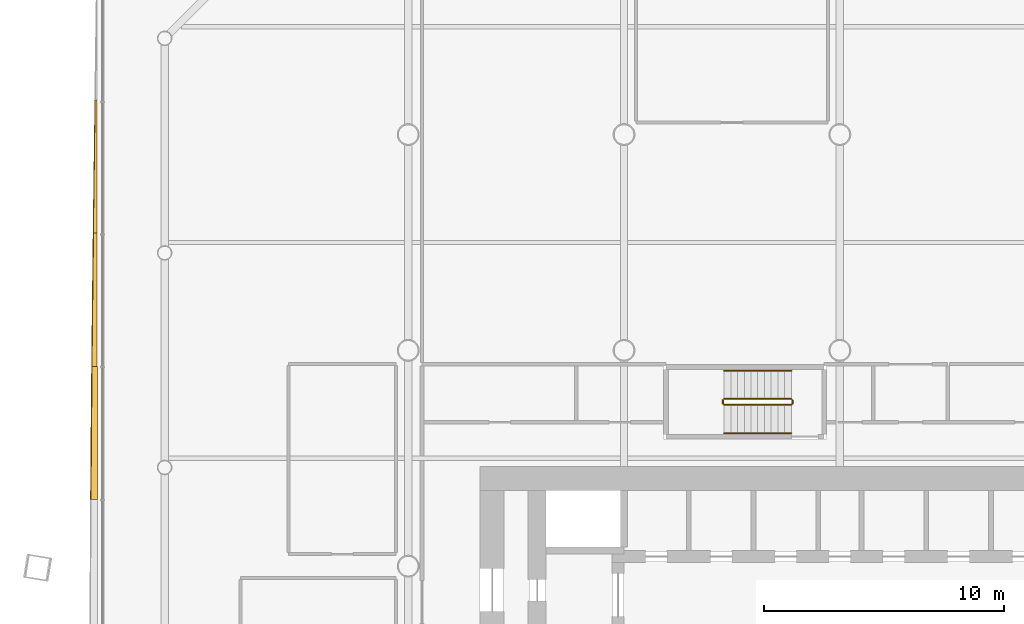
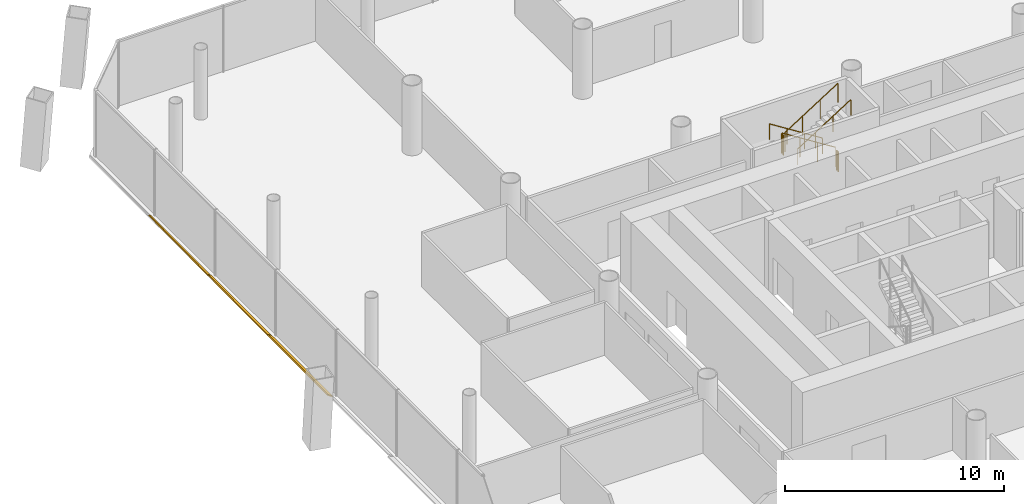
# One storey, part 21 of 22: 6 railings, 3 shading devices.
"""IFC4 building model written with IfcOpenShell, lengths in metres."""

from ifc_helpers import new_model, si_unit, direction, frame, origin, origin_2d, place, context, subcontext, project, spatial, polyline, circle, outline, extrude, material, layer, layer_set, type_object, element, save


model = new_model("IFC4")

# Units and contexts
model_context = context("Model", 3, precision=1e-05, world=origin(), true_north=direction((0.0, 1.0)))
body_context = subcontext(model_context, "Body", "Model", "MODEL_VIEW")
ifc_project = project(units=[si_unit("LENGTHUNIT", "METRE"), si_unit("AREAUNIT", "SQUARE_METRE"), si_unit("VOLUMEUNIT", "CUBIC_METRE"), si_unit("PLANEANGLEUNIT", "RADIAN"), si_unit("MASSUNIT", "GRAM", prefix="KILO")], contexts=[model_context])

# Site, building, storey
site_placement = place(None, origin())
site = spatial("IfcSite", under=ifc_project, at=site_placement, CompositionType="ELEMENT")
building_placement = place(site_placement, origin())
building = spatial("IfcBuilding", under=site, at=building_placement, Name="Tskaro Facet Tower", CompositionType="ELEMENT")
storey_placement = place(building_placement, frame((0.0, 0.0, 18.60009765625)))
storey = spatial("IfcBuildingStorey", under=building, at=storey_placement, Name="L03", CompositionType="ELEMENT", Elevation=18.60009765625)

# Shading devices
ifc_material_1 = material(Name="Bronze anodised aluminium 6063-T6", Category="aluminium")
ifc_layer = layer(ifc_material_1, 0.06005859375, Name="Bronze anodised aluminium 6063-T6")
ifc_layer_set = layer_set([ifc_layer], Name="Bronze anodised aluminium 6063-T6")
shading_device_type = type_object("IfcShadingDeviceType", Name="Bronze sun blade (FN1)", PredefinedType="USERDEFINED", material=ifc_layer_set)
shading_device_1_placement = place(storey_placement, frame((-30.974609375, 19.4443359375, 0.05419921875), z_axis=(0.422859654063, -1.1687585e-05, 0.906195184731), x_axis=(-4.942208e-06, -0.999999999932, -1.0591234e-05)))
element("IfcShadingDevice", 1, at=shading_device_1_placement, inside=storey, type_object=shading_device_type, Name="Fin blade west 2", ObjectType="FIN", PredefinedType="USERDEFINED", context=body_context, shape_type="SweptSolid", body=[
    extrude(outline(polyline([(0.0, 0.0), (5.555419921495566, 0.0), (5.555419922818219, -0.1694078735067057), (4.8610839833002695, -0.15979147186656814), (4.166503905743088, -0.15007183300619323), (3.4721679689834533, -0.1398064788080065), (2.777587890219678, -0.12986560088884438), (2.0832519534600427, -0.11960024669065769), (1.3886718748688298, -0.10911365343368375), (0.6943359369026008, -0.09862706017670982), (3.1552812391077836e-10, -0.08781599064071131), (0.0, 0.0)])), origin(), (0.0, 0.0, -1.0), 0.06005859375),
])
shading_device_2_placement = place(storey_placement, frame((-30.969970703125, 13.888916015625, 0.0517578125), z_axis=(0.500347410485, 7.565308e-06, 0.865824733282), x_axis=(3.785282e-06, -0.999999999971, 6.550231e-06)))
element("IfcShadingDevice", 2, at=shading_device_2_placement, inside=storey, type_object=shading_device_type, Name="Fin blade west 3", ObjectType="FIN", PredefinedType="USERDEFINED", context=body_context, shape_type="SweptSolid", body=[
    extrude(outline(polyline([(0.0, 0.0), (5.555664062341014, 0.0), (5.555664062330778, -0.24982875680808186), (4.861083983839732, -0.24162201285192958), (4.166748046897821, -0.2332038859042473), (3.47216796865588, -0.2244522208355184), (2.777832031963074, -0.21548917277525947), (2.083251953046097, -0.206403969585484), (1.388916015003218, -0.1967738452831319), (0.6945800785595164, -0.18726587611029638), (-7.833917107628724e-10, -0.17730221368689772), (0.0, 0.0)])), origin(), (0.0, 0.0, -1.0), 0.06005859375),
])
shading_device_3_placement = place(storey_placement, frame((-30.965576171875, 8.333251953125, 0.049072265625), z_axis=(0.573504039092, 2.6209e-06, 0.819202732624), x_axis=(1.503097e-06, -0.999999999997, 2.147049e-06)))
element("IfcShadingDevice", 3, at=shading_device_3_placement, inside=storey, type_object=shading_device_type, Name="Fin blade west 4", ObjectType="FIN", PredefinedType="USERDEFINED", context=body_context, shape_type="SweptSolid", body=[
    extrude(outline(polyline([(0.0, 0.0), (5.555419921855919, 0.0), (5.5554199218129865, -0.3218525402323677), (4.861083984316167, -0.31589230800584234), (4.166503906037132, -0.30959205947762747), (3.4721679685928497, -0.3027517939805778), (2.7775878908905343, -0.29571152781638294), (2.083251953131822, -0.28819122971595407), (1.3889160157400768, -0.28047093094838005), (0.6943359375661178, -0.27241061587911636), (-1.4005717663479298e-10, -0.2640102845081631), (0.0, 0.0)])), origin(), (0.0, 0.0, -1.0), 0.06005859375),
])

# Railings
ifc_material_2 = material(Name="Stainless steel", Category="steel")
railing_type_1 = type_object("IfcRailingType", Name="RL-GUARD-1100", PredefinedType="GUARDRAIL", material=ifc_material_2)
railing_1_placement = place(storey_placement, frame((-2.02490234375, 6.97509765625, 0.17724609375)))
element("IfcRailing", 4, at=railing_1_placement, inside=storey, type_object=railing_type_1, Name="L03 ST-3 stair guard 1", PredefinedType="GUARDRAIL", context=body_context, shape_type="SweptSolid", body=[
    extrude(circle(Radius=0.02392578125, at=origin_2d()), frame((0.0, 0.0, 1.076171875), z_axis=(-0.844908973607, 0.0, 0.534910110503), x_axis=(0.0, -1.0, 0.0)), (0.0, 0.0, 1.0), 3.31396484375),
    extrude(circle(Radius=0.02099609375, at=origin_2d()), origin(), (0.0, 0.0, 1.0), 1.052001953125),
    extrude(circle(Radius=0.02099609375, at=origin_2d()), frame((-0.933349609375, 0.0, 0.5908203125)), (0.0, 0.0, 1.0), 1.052001953125),
    extrude(circle(Radius=0.02099609375, at=origin_2d()), frame((-1.86669921875, 0.0, 1.181884765625)), (0.0, 0.0, 1.0), 1.052001953125),
    extrude(circle(Radius=0.02099609375, at=origin_2d()), frame((-2.800048828125, 0.0, 1.772705078125)), (0.0, 0.0, 1.0), 1.052001953125),
])
railing_2_placement = place(storey_placement, frame((-4.875, 6.925048828125, 1.949951171875)))
element("IfcRailing", 5, at=railing_2_placement, inside=storey, type_object=railing_type_1, Name="L03 ST-3 stair guard 2", PredefinedType="GUARDRAIL", context=body_context, shape_type="SweptSolid", body=[
    extrude(circle(Radius=0.02392578125, at=origin_2d()), frame((0.0, 0.0, 1.076171875), z_axis=(0.0, -1.0, 0.0), x_axis=(1.0, 0.0, 0.0)), (0.0, 0.0, 1.0), 0.150146484375),
    extrude(circle(Radius=0.02099609375, at=origin_2d()), origin(), (0.0, 0.0, 1.0), 1.052001953125),
    extrude(circle(Radius=0.02099609375, at=origin_2d()), frame((0.0, -0.150146484375, 0.0)), (0.0, 0.0, 1.0), 1.052001953125),
])
railing_3_placement = place(storey_placement, frame((-4.824951171875, 6.72509765625, 2.127197265625)))
element("IfcRailing", 6, at=railing_3_placement, inside=storey, type_object=railing_type_1, Name="L03 ST-3 stair guard 3", PredefinedType="GUARDRAIL", context=body_context, shape_type="SweptSolid", body=[
    extrude(circle(Radius=0.02392578125, at=origin_2d()), frame((0.0, 0.0, 1.076171875), z_axis=(0.844908973607, 0.0, 0.534910110503), x_axis=(0.0, 1.0, 0.0)), (0.0, 0.0, 1.0), 3.31396484375),
    extrude(circle(Radius=0.02099609375, at=origin_2d()), origin(), (0.0, 0.0, 1.0), 1.052001953125),
    extrude(circle(Radius=0.02099609375, at=origin_2d()), frame((0.933349609375, 0.0, 0.5908203125)), (0.0, 0.0, 1.0), 1.052001953125),
    extrude(circle(Radius=0.02099609375, at=origin_2d()), frame((1.86669921875, 0.0, 1.181884765625)), (0.0, 0.0, 1.0), 1.052001953125),
    extrude(circle(Radius=0.02099609375, at=origin_2d()), frame((2.800048828125, 0.0, 1.772705078125)), (0.0, 0.0, 1.0), 1.052001953125),
])
railing_4_placement = place(storey_placement, frame((-1.97509765625, 6.925048828125, 0.0)))
element("IfcRailing", 7, at=railing_4_placement, inside=storey, type_object=railing_type_1, Name="L03 ST-3 stair guard 4", PredefinedType="GUARDRAIL", context=body_context, shape_type="SweptSolid", body=[
    extrude(circle(Radius=0.02392578125, at=origin_2d()), frame((0.0, 0.0, 1.076171875), z_axis=(0.0, -1.0, 0.0), x_axis=(1.0, 0.0, 0.0)), (0.0, 0.0, 1.0), 0.150146484375),
    extrude(circle(Radius=0.02099609375, at=origin_2d()), origin(), (0.0, 0.0, 1.0), 1.052001953125),
    extrude(circle(Radius=0.02099609375, at=origin_2d()), frame((0.0, -0.150146484375, 0.0)), (0.0, 0.0, 1.0), 1.052001953125),
])
railing_type_2 = type_object("IfcRailingType", Name="RL-HANDRAIL-900", PredefinedType="HANDRAIL", material=ifc_material_2)
railing_5_placement = place(storey_placement, frame((-2.02490234375, 8.14990234375, 0.17724609375)))
element("IfcRailing", 8, at=railing_5_placement, inside=storey, type_object=railing_type_2, Name="L03 ST-3 stair handrail 1", PredefinedType="HANDRAIL", context=body_context, shape_type="SweptSolid", body=[
    extrude(circle(Radius=0.02392578125, at=origin_2d()), frame((0.0, 0.0, 0.8759765625), z_axis=(-0.844908973607, 0.0, 0.534910110503), x_axis=(0.0, -1.0, 0.0)), (0.0, 0.0, 1.0), 3.31396484375),
    extrude(circle(Radius=0.02099609375, at=origin_2d()), origin(), (0.0, 0.0, 1.0), 0.851806640625),
    extrude(circle(Radius=0.02099609375, at=origin_2d()), frame((-0.933349609375, 0.0, 0.5908203125)), (0.0, 0.0, 1.0), 0.851806640625),
    extrude(circle(Radius=0.02099609375, at=origin_2d()), frame((-1.86669921875, 0.0, 1.181884765625)), (0.0, 0.0, 1.0), 0.851806640625),
    extrude(circle(Radius=0.02099609375, at=origin_2d()), frame((-2.800048828125, 0.0, 1.772705078125)), (0.0, 0.0, 1.0), 0.851806640625),
])
railing_6_placement = place(storey_placement, frame((-4.824951171875, 5.550048828125, 2.127197265625)))
element("IfcRailing", 9, at=railing_6_placement, inside=storey, type_object=railing_type_2, Name="L03 ST-3 stair handrail 2", PredefinedType="HANDRAIL", context=body_context, shape_type="SweptSolid", body=[
    extrude(circle(Radius=0.02392578125, at=origin_2d()), frame((0.0, 0.0, 0.8759765625), z_axis=(0.844908973607, 0.0, 0.534910110503), x_axis=(0.0, 1.0, 0.0)), (0.0, 0.0, 1.0), 3.31396484375),
    extrude(circle(Radius=0.02099609375, at=origin_2d()), origin(), (0.0, 0.0, 1.0), 0.851806640625),
    extrude(circle(Radius=0.02099609375, at=origin_2d()), frame((0.933349609375, 0.0, 0.5908203125)), (0.0, 0.0, 1.0), 0.851806640625),
    extrude(circle(Radius=0.02099609375, at=origin_2d()), frame((1.86669921875, 0.0, 1.181884765625)), (0.0, 0.0, 1.0), 0.851806640625),
    extrude(circle(Radius=0.02099609375, at=origin_2d()), frame((2.800048828125, 0.0, 1.772705078125)), (0.0, 0.0, 1.0), 0.851806640625),
])

save(model, "model.ifc")
